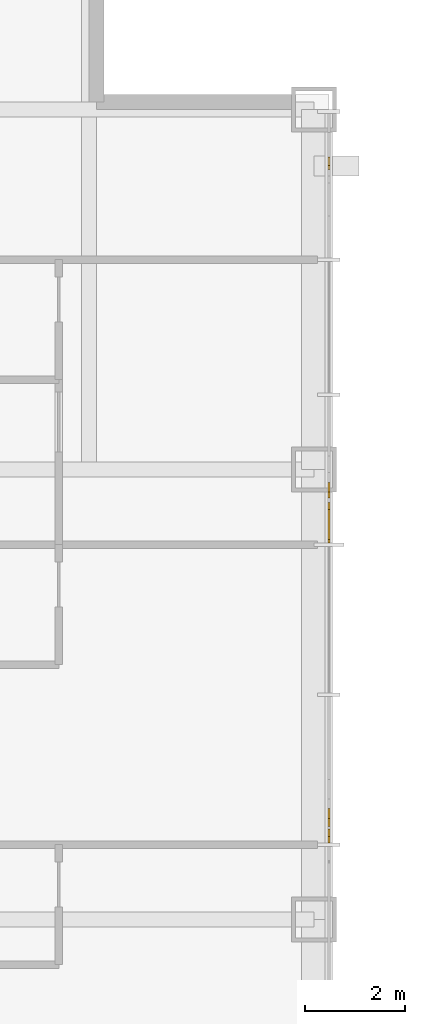
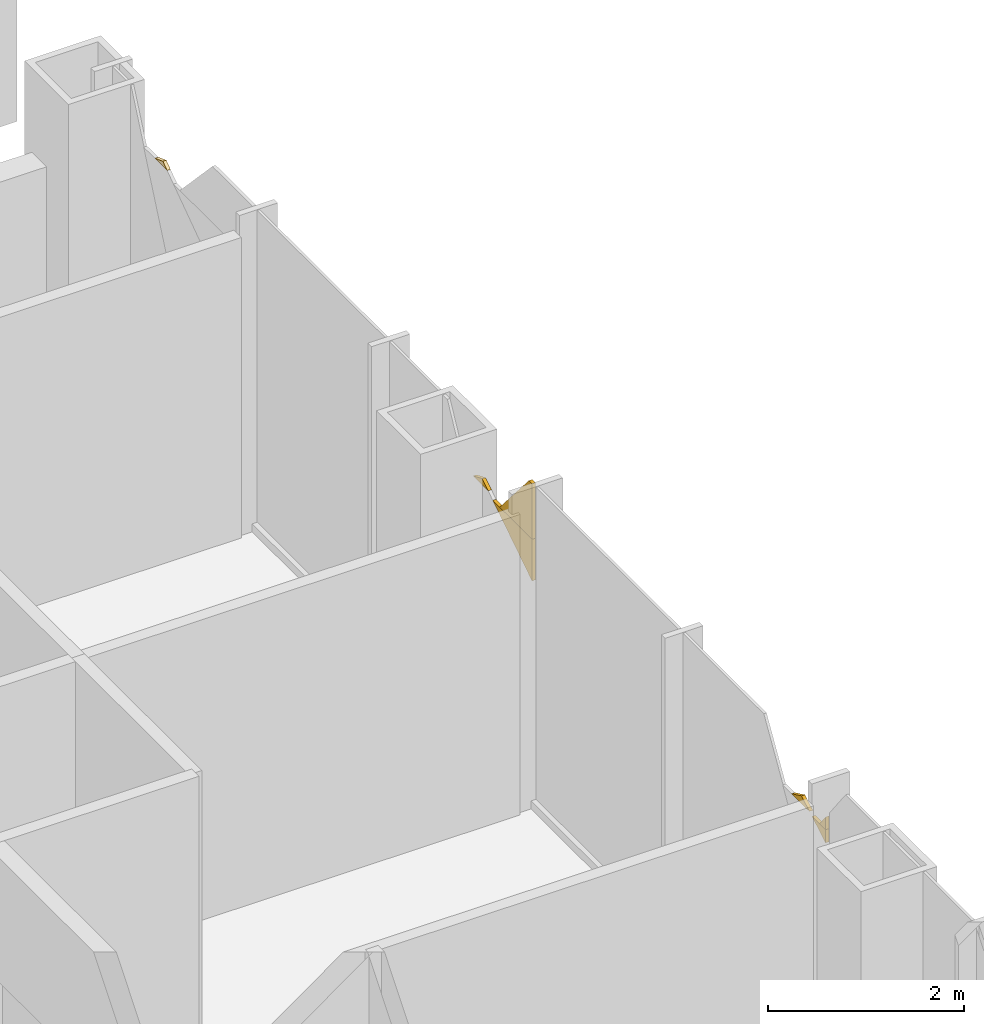
# One storey, part 22 of 23: 7 coverings.
"""IFC4 building model written with IfcOpenShell, lengths in metres."""

from ifc_helpers import new_model, si_unit, direction, frame, origin, place, context, subcontext, project, spatial, polyline, outline, extrude, material, layer, layer_set, type_object, element, save


model = new_model("IFC4")

# Units and contexts
model_context = context("Model", 3, precision=1e-05, world=origin(), true_north=direction((0.0, 1.0)))
body_context = subcontext(model_context, "Body", "Model", "MODEL_VIEW")
ifc_project = project(units=[si_unit("LENGTHUNIT", "METRE"), si_unit("AREAUNIT", "SQUARE_METRE"), si_unit("VOLUMEUNIT", "CUBIC_METRE"), si_unit("PLANEANGLEUNIT", "RADIAN"), si_unit("MASSUNIT", "GRAM", prefix="KILO")], contexts=[model_context])

# Site, building, storey
site_placement = place(None, origin())
site = spatial("IfcSite", under=ifc_project, at=site_placement, CompositionType="ELEMENT")
building_placement = place(site_placement, origin())
building = spatial("IfcBuilding", under=site, at=building_placement, Name="Malebo Sky Hospital", CompositionType="ELEMENT")
storey_placement = place(building_placement, frame((0.0, 0.0, 91.0)))
storey = spatial("IfcBuildingStorey", under=building, at=storey_placement, Name="L21", CompositionType="ELEMENT", Elevation=91.0)

# Coverings
ifc_material = material(Name="Anodised aluminium, natural silver insulated infill panel", Category="aluminium")
ifc_layer = layer(ifc_material, 0.0400390625)
ifc_layer_set = layer_set([ifc_layer], Name="BRACE INFILL PANEL 40")
covering_type = type_object("IfcCoveringType", Name="BRACE INFILL PANEL 40", PredefinedType="CLADDING", material=ifc_layer_set)
covering_1_placement = place(storey_placement, frame((85.5, 81.623779296875, 3.3779296875), z_axis=(0.0, 0.0, 1.0), x_axis=(0.0, -1.0, 0.0)))
element("IfcCovering", 1, at=covering_1_placement, inside=storey, type_object=covering_type, Name="Brace infill panel 1.4", PredefinedType="CLADDING", context=body_context, shape_type="SweptSolid", body=[
    extrude(outline(polyline([(-0.125732421875, 0.0), (0.125732421875, 0.0), (0.0390625, 0.061279296875), (-0.125732421875, 0.0)])), frame((0.0, 0.02001953125, 0.0), z_axis=(0.0, -1.0, 0.0), x_axis=(1.0, 0.0, 0.0)), (0.0, 0.0, 1.0), 0.0400390625),
])
covering_2_placement = place(storey_placement, frame((85.5, 74.439208984375, 2.779296875), z_axis=(0.0, 0.0, 1.0), x_axis=(0.0, -1.0, 0.0)))
element("IfcCovering", 2, at=covering_2_placement, inside=storey, type_object=covering_type, Name="Brace infill panel 3.2", PredefinedType="CLADDING", context=body_context, shape_type="SweptSolid", body=[
    extrude(outline(polyline([(0.401611328125, 0.0), (0.401611328125, 0.51953125), (-0.40185546875, 0.51953125), (0.401611328125, 0.0)])), frame((0.0, 0.02001953125, 0.0), z_axis=(0.0, -1.0, 0.0), x_axis=(1.0, 0.0, 0.0)), (0.0, 0.0, 1.0), 0.0400390625),
])
covering_3_placement = place(storey_placement, frame((85.5, 74.3681640625, 3.298828125), z_axis=(0.0, 0.0, 1.0), x_axis=(0.0, -1.0, 0.0)))
element("IfcCovering", 3, at=covering_3_placement, inside=storey, type_object=covering_type, Name="Brace infill panel 3.3", PredefinedType="CLADDING", context=body_context, shape_type="SweptSolid", body=[
    extrude(outline(polyline([(-0.330810546875, 0.0), (0.33056640625, 0.0), (0.33056640625, 0.691162109375), (0.263427734375, 0.691162109375), (-0.330810546875, 0.0)])), frame((0.0, 0.02001953125, 0.0), z_axis=(0.0, -1.0, 0.0), x_axis=(1.0, 0.0, 0.0)), (0.0, 0.0, 1.0), 0.0400390625),
])
covering_4_placement = place(storey_placement, frame((85.5, 75.089599609375, 3.35986328125), z_axis=(0.0, 0.0, 1.0), x_axis=(0.0, -1.0, 0.0)))
element("IfcCovering", 4, at=covering_4_placement, inside=storey, type_object=covering_type, Name="Brace infill panel 3.4", PredefinedType="CLADDING", context=body_context, shape_type="SweptSolid", body=[
    extrude(outline(polyline([(-0.154052734375, 0.0), (0.154052734375, 0.0), (0.03271484375, 0.07861328125), (-0.154052734375, 0.0)])), frame((0.0, 0.02001953125, 0.0), z_axis=(0.0, -1.0, 0.0), x_axis=(1.0, 0.0, 0.0)), (0.0, 0.0, 1.0), 0.0400390625),
])
covering_5_placement = place(storey_placement, frame((85.5, 68.17578125, 3.149658203125), z_axis=(0.0, 0.0, 1.0), x_axis=(0.0, -1.0, 0.0)))
element("IfcCovering", 5, at=covering_5_placement, inside=storey, type_object=covering_type, Name="Brace infill panel 5.2", PredefinedType="CLADDING", context=body_context, shape_type="SweptSolid", body=[
    extrude(outline(polyline([(0.138427734375, 0.0), (0.138427734375, 0.16259765625), (-0.138427734375, 0.16259765625), (0.138427734375, 0.0)])), frame((0.0, 0.02001953125, 0.0), z_axis=(0.0, -1.0, 0.0), x_axis=(1.0, 0.0, 0.0)), (0.0, 0.0, 1.0), 0.0400390625),
])
covering_6_placement = place(storey_placement, frame((85.5, 68.09912109375, 3.312255859375), z_axis=(0.0, 0.0, 1.0), x_axis=(0.0, -1.0, 0.0)))
element("IfcCovering", 6, at=covering_6_placement, inside=storey, type_object=covering_type, Name="Brace infill panel 5.3", PredefinedType="CLADDING", context=body_context, shape_type="SweptSolid", body=[
    extrude(outline(polyline([(-0.0615234375, 0.0), (0.0615234375, 0.0), (0.0615234375, 0.15869140625), (-0.0615234375, 0.0)])), frame((0.0, 0.02001953125, 0.0), z_axis=(0.0, -1.0, 0.0), x_axis=(1.0, 0.0, 0.0)), (0.0, 0.0, 1.0), 0.0400390625),
])
covering_7_placement = place(storey_placement, frame((85.5, 68.5478515625, 3.3427734375), z_axis=(0.0, 0.0, 1.0), x_axis=(0.0, -1.0, 0.0)))
element("IfcCovering", 7, at=covering_7_placement, inside=storey, type_object=covering_type, Name="Brace infill panel 5.4", PredefinedType="CLADDING", context=body_context, shape_type="SweptSolid", body=[
    extrude(outline(polyline([(-0.181396484375, 0.0), (0.181396484375, 0.0), (0.019287109375, 0.09521484375), (-0.181396484375, 0.0)])), frame((0.0, 0.02001953125, 0.0), z_axis=(0.0, -1.0, 0.0), x_axis=(1.0, 0.0, 0.0)), (0.0, 0.0, 1.0), 0.0400390625),
])

save(model, "model.ifc")
